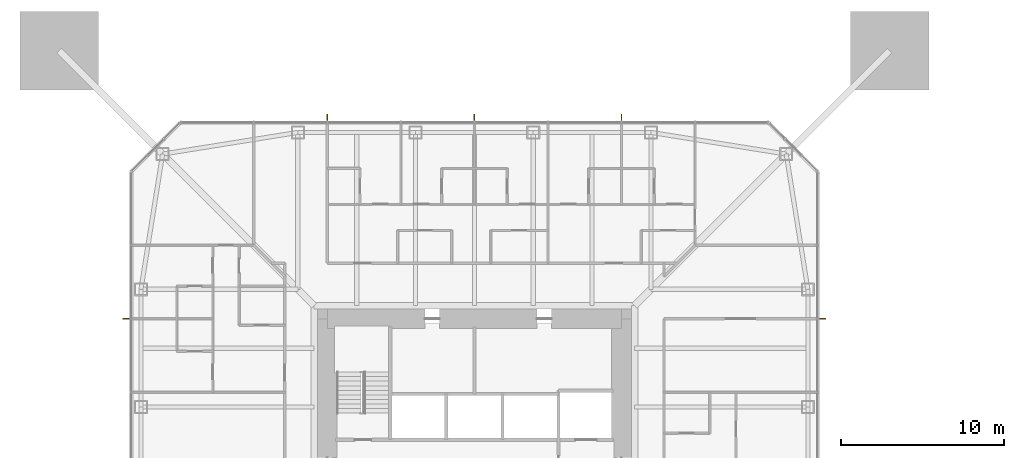
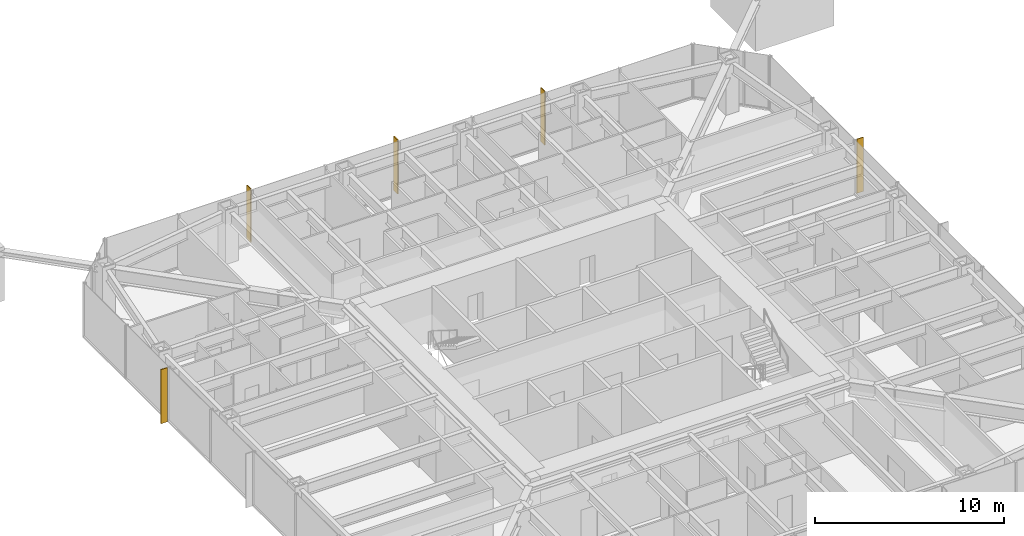
# One storey, part 22 of 23: 5 shading devices.
"""IFC4 building model written with IfcOpenShell, lengths in metres."""

from ifc_helpers import new_model, si_unit, direction, frame, origin, origin_2d, place, context, subcontext, project, spatial, rectangle, extrude, material, layer, layer_set, type_object, element, save


model = new_model("IFC4")

# Units and contexts
model_context = context("Model", 3, precision=1e-05, world=origin(), true_north=direction((0.0, 1.0)))
body_context = subcontext(model_context, "Body", "Model", "MODEL_VIEW")
ifc_project = project(units=[si_unit("LENGTHUNIT", "METRE"), si_unit("AREAUNIT", "SQUARE_METRE"), si_unit("VOLUMEUNIT", "CUBIC_METRE"), si_unit("PLANEANGLEUNIT", "RADIAN"), si_unit("MASSUNIT", "GRAM", prefix="KILO")], contexts=[model_context])

# Site, building, storey
site_placement = place(None, origin())
site = spatial("IfcSite", under=ifc_project, at=site_placement, CompositionType="ELEMENT")
building_placement = place(site_placement, origin())
building = spatial("IfcBuilding", under=site, at=building_placement, Name="Iwan Alto Co-Living Towers", CompositionType="ELEMENT")
storey_placement = place(building_placement, frame((0.0, 0.0, 122.5)))
storey = spatial("IfcBuildingStorey", under=building, at=storey_placement, Name="L33", CompositionType="ELEMENT", Elevation=122.5)

# Shading devices
ifc_material = material(Name="Aluminium 6063-T6 bronze anodised", Category="aluminium")
ifc_layer = layer(ifc_material, 0.050048828125)
ifc_layer_set = layer_set([ifc_layer], Name="BRONZE FIN 50X400")
shading_device_type = type_object("IfcShadingDeviceType", Name="BRONZE FIN 50X400", PredefinedType="USERDEFINED", material=ifc_layer_set)
for number, where, z_axis, x_axis, name in (
    (1, (21.300048828125, 9.0, 0.0), (0.0, 0.0, 1.0), (0.0, 1.0, 0.0), "Bronze fin L33"),
    (2, (9.0, 21.300048828125, 0.0), (0.0, 0.0, 1.0), (-1.0, 0.0, 0.0), "Bronze fin L33"),
    (3, (0.0, 21.300048828125, 0.0), (0.0, 0.0, 1.0), (-1.0, 0.0, 0.0), "Bronze fin L33"),
    (4, (-9.0, 21.300048828125, 0.0), (0.0, 0.0, 1.0), (-1.0, 0.0, 0.0), "Bronze fin L33"),
    (5, (-21.300048828125, 9.0, 0.0), (0.0, 0.0, 1.0), (0.0, -1.0, 0.0), "Bronze fin L33"),
):
    element("IfcShadingDevice", number, at=place(storey_placement, frame(where, z_axis=z_axis, x_axis=x_axis)), inside=storey, type_object=shading_device_type, Name=name, ObjectType="LOUVER", PredefinedType="USERDEFINED", context=body_context, shape_type="SweptSolid", body=[
        extrude(rectangle(XDim=0.050048828125, YDim=0.39990234375, at=origin_2d()), origin(), (0.0, 0.0, 1.0), 3.5),
    ])

save(model, "model.ifc")
